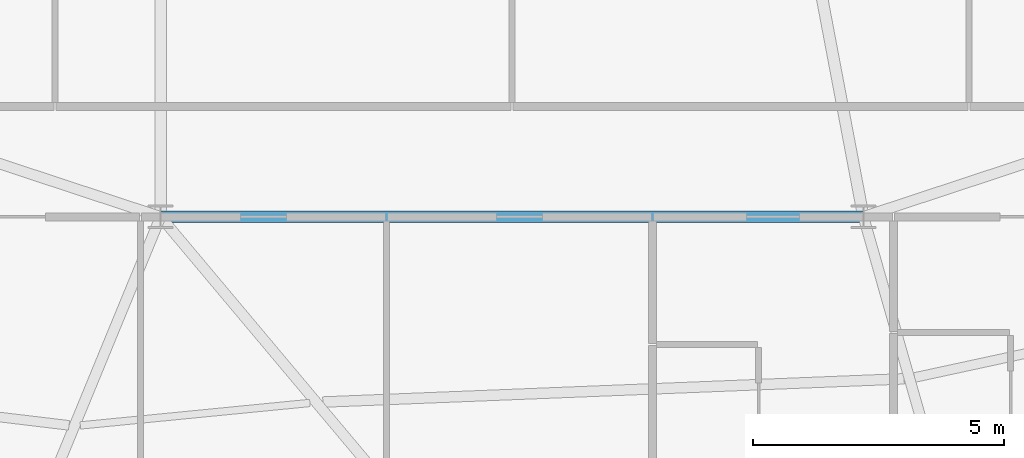
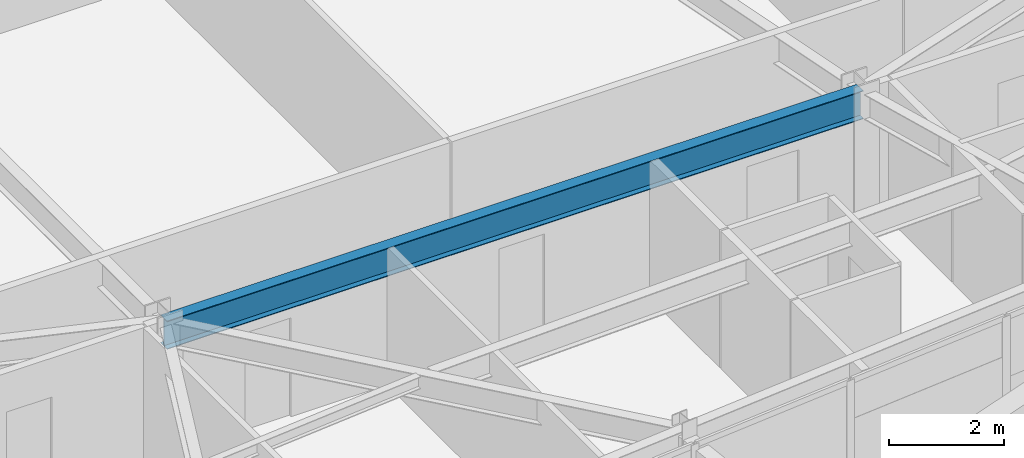
# One storey, part 12 of 53: 1 beam.
"""IFC4 building model written with IfcOpenShell, lengths in metres."""

from ifc_helpers import new_model, si_unit, direction, frame, origin, origin_2d, place, context, subcontext, project, spatial, i_section, extrude, source, transform, mapped, material, material_profile, profile_set, type_object, element, save


model = new_model("IFC4")

# Units and contexts
model_context = context("Model", 3, precision=1e-05, world=origin(), true_north=direction((0.0, 1.0)))
body_context = subcontext(model_context, "Body", "Model", "MODEL_VIEW")
ifc_project = project(units=[si_unit("LENGTHUNIT", "METRE"), si_unit("AREAUNIT", "SQUARE_METRE"), si_unit("VOLUMEUNIT", "CUBIC_METRE"), si_unit("PLANEANGLEUNIT", "RADIAN"), si_unit("MASSUNIT", "GRAM", prefix="KILO")], contexts=[model_context])

# Site, building, storey
site_placement = place(None, origin())
site = spatial("IfcSite", under=ifc_project, at=site_placement, CompositionType="ELEMENT")
building_placement = place(site_placement, origin())
building = spatial("IfcBuilding", under=site, at=building_placement, Name="Taldren Reach Tower", CompositionType="ELEMENT")
storey_placement = place(building_placement, frame((0.0, 0.0, 68.25)))
storey = spatial("IfcBuildingStorey", under=building, at=storey_placement, Name="L20", CompositionType="ELEMENT", Elevation=68.25)

# Beam
ifc_material = material(Name="Steel Gr 350 (350PLUS)", Category="steel")
ifc_material_profile = material_profile(ifc_material, i_section(OverallWidth=0.22802734375, OverallDepth=0.60205078125, WebThickness=0.010498046875, FlangeThickness=0.014892578125, at=origin_2d()), Name="610UB101")
ifc_profile_set = profile_set([ifc_material_profile], Name="Steel Gr 350 (350PLUS)")
beam_type = type_object("IfcBeamType", Name="BM-UB610B", PredefinedType="BEAM", material=ifc_profile_set)
shared_shape = source(origin(), body_context, "Body", "SweptSolid", [
    extrude(i_section(OverallWidth=0.22802734375, OverallDepth=0.60205078125, WebThickness=0.010498046875, FlangeThickness=0.014892578125, at=origin_2d()), origin(), (0.0, 0.0, 1.0), 14.0),
])
beam_placement = place(storey_placement, frame((28.0, 9.199951171875, 2.62890625), z_axis=(1.0, 0.0, 0.0), x_axis=(0.0, 1.0, 0.0)))
element("IfcBeam", 1, at=beam_placement, inside=storey, type_object=beam_type, Name="Core-spine girder L20-SP11", PredefinedType="BEAM", context=body_context, shape_type="MappedRepresentation", body=[
    mapped(shared_shape, transform((0.0, 0.0, 0.0), scale=1.0)),
])

save(model, "model.ifc")
